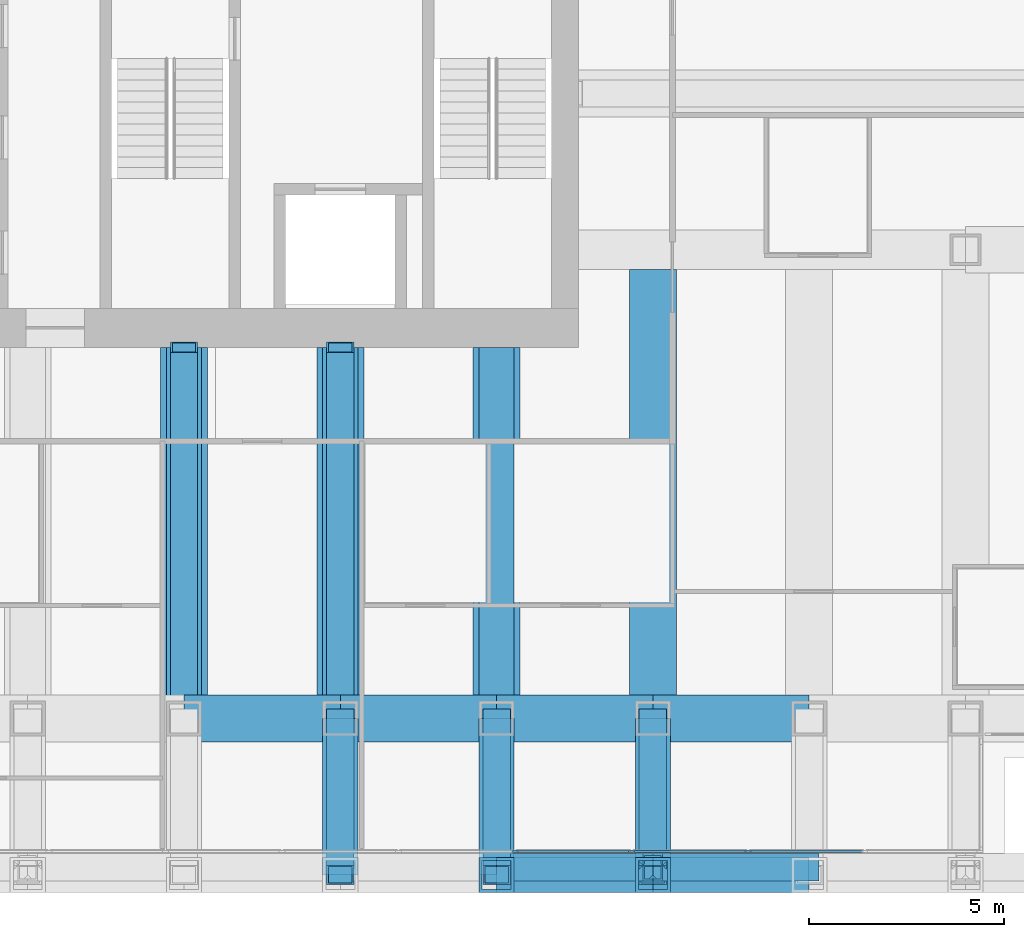
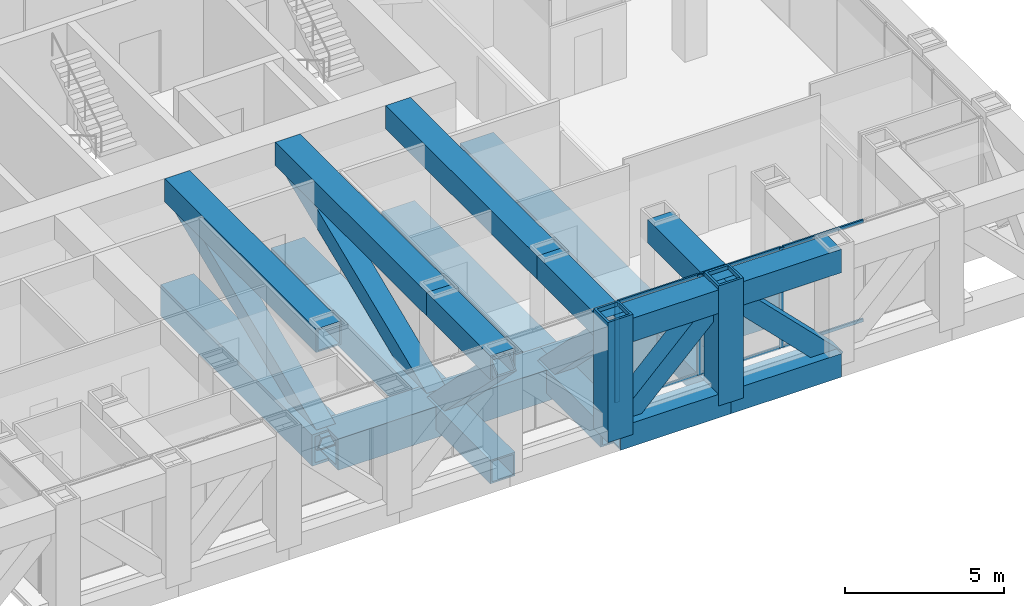
# One storey, part 3 of 17: 21 beams, 18 members, 1 element without a shape of its own.
"""IFC4 building model written with IfcOpenShell, lengths in metres."""

from ifc_helpers import new_model, si_unit, direction, frame, origin, origin_2d, place, context, subcontext, project, spatial, rectangle, hollow_rectangle, extrude, material, material_profile, profile_set, type_object, element, aggregate, save


model = new_model("IFC4")

# Units and contexts
model_context = context("Model", 3, precision=1e-05, world=origin(), true_north=direction((0.0, 1.0)))
body_context = subcontext(model_context, "Body", "Model", "MODEL_VIEW")
ifc_project = project(units=[si_unit("LENGTHUNIT", "METRE"), si_unit("AREAUNIT", "SQUARE_METRE"), si_unit("VOLUMEUNIT", "CUBIC_METRE"), si_unit("PLANEANGLEUNIT", "RADIAN"), si_unit("MASSUNIT", "GRAM", prefix="KILO")], contexts=[model_context])

# Site, building, storey
site_placement = place(None, origin())
site = spatial("IfcSite", under=ifc_project, at=site_placement, CompositionType="ELEMENT")
building_placement = place(site_placement, origin())
building = spatial("IfcBuilding", under=site, at=building_placement, Name="Rimbunsela Tower", CompositionType="ELEMENT")
storey_placement = place(building_placement, frame((0.0, 0.0, 238.199951171875)))
storey = spatial("IfcBuildingStorey", under=building, at=storey_placement, Name="L57", CompositionType="ELEMENT", Elevation=238.199951171875)

# Beams
ifc_material_1 = material(Name="Steel BJ 55 (fy 410 MPa)", Category="steel")
ifc_material_profile_1 = material_profile(ifc_material_1, hollow_rectangle(XDim=1.199951171875, YDim=1.199951171875, WallThickness=0.10009765625, at=origin_2d()), Name="BOX 1200x1200x100")
ifc_profile_set_1 = profile_set([ifc_material_profile_1], Name="Steel BJ 55 (fy 410 MPa)")
beam_type_1 = type_object("IfcBeamType", Name="Beam BOX 1200x1200x100", PredefinedType="BEAM", material=ifc_profile_set_1)
for number, where, z_axis, x_axis, name in (
    (1, (26.0, 8.0, -0.75), (0.0, 1.0, 0.0), (-1.0, 0.0, 0.0), "Beam B5 L57"),
    (2, (30.0, 8.0, -0.75), (0.0, 1.0, 0.0), (-1.0, 0.0, 0.0), "Beam B5 L57"),
    (3, (34.0, 8.0, -0.75), (0.0, 1.0, 0.0), (-1.0, 0.0, 0.0), "Beam B5 L57"),
):
    element("IfcBeam", number, at=place(storey_placement, frame(where, z_axis=z_axis, x_axis=x_axis)), inside=storey, type_object=beam_type_1, Name=name, PredefinedType="BEAM", context=body_context, shape_type="SweptSolid", body=[
        extrude(hollow_rectangle(XDim=1.199951171875, YDim=1.199951171875, WallThickness=0.10009765625, at=origin_2d()), origin(), (0.0, 0.0, 1.0), 9.5),
    ])
beam_1_placement = place(storey_placement, frame((38.0, 8.0, -0.75), z_axis=(0.0, 1.0, 0.0), x_axis=(-1.0, 0.0, 0.0)))
element("IfcBeam", 4, at=beam_1_placement, inside=storey, type_object=beam_type_1, Name="Beam B5 L57", PredefinedType="BEAM", context=body_context, shape_type="SweptSolid", body=[
    extrude(hollow_rectangle(XDim=1.199951171875, YDim=1.199951171875, WallThickness=0.10009765625, at=origin_2d()), origin(), (0.0, 0.0, 1.0), 11.5),
])
ifc_material_2 = material(Name="Steel BJ 55 (fy 410 MPa)", Category="steel")
ifc_material_profile_2 = material_profile(ifc_material_2, hollow_rectangle(XDim=1.199951171875, YDim=1.199951171875, WallThickness=0.125, at=origin_2d()), Name="BOX 1200x1200x125")
ifc_profile_set_2 = profile_set([ifc_material_profile_2], Name="Steel BJ 55 (fy 410 MPa)")
beam_type_2 = type_object("IfcBeamType", Name="Beam BOX 1200x1200x125", PredefinedType="BEAM", material=ifc_profile_set_2)
for number, where, z_axis, x_axis, name in (
    (5, (26.0, 8.0, -0.75), (1.0, 0.0, 0.0), (0.0, 1.0, 0.0), "Beam B4 L57"),
    (6, (30.0, 8.0, -0.75), (1.0, 0.0, 0.0), (0.0, 1.0, 0.0), "Beam B4 L57"),
    (7, (34.0, 8.0, -0.75), (1.0, 0.0, 0.0), (0.0, 1.0, 0.0), "Beam B4 L57"),
    (8, (38.0, 8.0, -0.75), (1.0, 0.0, 0.0), (0.0, 1.0, 0.0), "Beam B4 L57"),
):
    element("IfcBeam", number, at=place(storey_placement, frame(where, z_axis=z_axis, x_axis=x_axis)), inside=storey, type_object=beam_type_2, Name=name, PredefinedType="BEAM", context=body_context, shape_type="SweptSolid", body=[
        extrude(hollow_rectangle(XDim=1.199951171875, YDim=1.199951171875, WallThickness=0.125, at=origin_2d()), origin(), (0.0, 0.0, 1.0), 4.0),
    ])

# Curtain wall, members
ifc_material_3 = material(Name="Aluminium curtain wall", Category="aluminium")
curtain_wall_type = type_object("IfcCurtainWallType", Name="Exoskeleton storey infill", PredefinedType="USERDEFINED", material=ifc_material_3)
curtain_wall_placement = place(storey_placement, origin())
curtain_wall = element("IfcCurtainWall", 9, at=curtain_wall_placement, inside=storey, type_object=curtain_wall_type, Name="Exoskeleton storey infill L57", ObjectType="EXOSKELETON STOREY INFILL", PredefinedType="USERDEFINED")
ifc_material_4 = material(Name="Aluminium mullion", Category="aluminium")
ifc_material_profile_3 = material_profile(ifc_material_4, rectangle(XDim=0.06005859375, YDim=0.159912109375, at=origin_2d()), Name="Mullion 60x160")
ifc_profile_set_3 = profile_set([ifc_material_profile_3], Name="Aluminium mullion")
member_type_1 = type_object("IfcMemberType", Name="Curtain wall mullion 60x160", PredefinedType="MULLION", material=ifc_profile_set_3)
member_1_placement = place(storey_placement, frame((34.47265625, 4.60009765625, 0.0), z_axis=(0.0, 0.0, 1.0), x_axis=(0.0, 1.0, 0.0)))
member_1 = element("IfcMember", 10, at=member_1_placement, type_object=member_type_1, Name="CW2 mullion 8", PredefinedType="MULLION", context=body_context, shape_type="SweptSolid", body=[
    extrude(rectangle(XDim=0.06005859375, YDim=0.159912109375, at=origin_2d()), origin(), (0.0, 0.0, 1.0), 3.85009765625),
])
member_2_placement = place(storey_placement, frame((37.45458984375, 4.60009765625, 0.0), z_axis=(0.0, 0.0, 1.0), x_axis=(0.0, 1.0, 0.0)))
member_2 = element("IfcMember", 11, at=member_2_placement, type_object=member_type_1, Name="CW2 mullion 9", PredefinedType="MULLION", context=body_context, shape_type="SweptSolid", body=[
    extrude(rectangle(XDim=0.06005859375, YDim=0.159912109375, at=origin_2d()), origin(), (0.0, 0.0, 1.0), 3.85009765625),
])
member_3_placement = place(storey_placement, frame((40.436279296875, 4.60009765625, 0.0), z_axis=(0.0, 0.0, 1.0), x_axis=(0.0, 1.0, 0.0)))
member_3 = element("IfcMember", 12, at=member_3_placement, type_object=member_type_1, Name="CW2 mullion 10", PredefinedType="MULLION", context=body_context, shape_type="SweptSolid", body=[
    extrude(rectangle(XDim=0.06005859375, YDim=0.159912109375, at=origin_2d()), origin(), (0.0, 0.0, 1.0), 3.85009765625),
])
ifc_material_5 = material(Name="Aluminium transom", Category="aluminium")
ifc_material_profile_4 = material_profile(ifc_material_5, rectangle(XDim=0.06005859375, YDim=0.1201171875, at=origin_2d()), Name="Transom 60x120")
ifc_profile_set_4 = profile_set([ifc_material_profile_4], Name="Aluminium transom")
member_type_2 = type_object("IfcMemberType", Name="Curtain wall transom 60x120", PredefinedType="USERDEFINED", material=ifc_profile_set_4)
member_4_placement = place(storey_placement, frame((34.502685546875, 4.60009765625, 0.030029296875), z_axis=(1.0, 0.0, 0.0), x_axis=(0.0, 1.0, 0.0)))
member_4 = element("IfcMember", 13, at=member_4_placement, type_object=member_type_2, Name="CW2 transom 8.1", ObjectType="TRANSOM", PredefinedType="USERDEFINED", context=body_context, shape_type="SweptSolid", body=[
    extrude(rectangle(XDim=0.06005859375, YDim=0.1201171875, at=origin_2d()), origin(), (0.0, 0.0, 1.0), 2.921875),
])
member_5_placement = place(storey_placement, frame((34.502685546875, 4.60009765625, 3.820068359375), z_axis=(1.0, 0.0, 0.0), x_axis=(0.0, 1.0, 0.0)))
member_5 = element("IfcMember", 14, at=member_5_placement, type_object=member_type_2, Name="CW2 transom 8.2", ObjectType="TRANSOM", PredefinedType="USERDEFINED", context=body_context, shape_type="SweptSolid", body=[
    extrude(rectangle(XDim=0.06005859375, YDim=0.1201171875, at=origin_2d()), origin(), (0.0, 0.0, 1.0), 2.921875),
])
member_6_placement = place(storey_placement, frame((37.484619140625, 4.60009765625, 0.030029296875), z_axis=(1.0, 0.0, 0.0), x_axis=(0.0, 1.0, 0.0)))
member_6 = element("IfcMember", 15, at=member_6_placement, type_object=member_type_2, Name="CW2 transom 9.1", ObjectType="TRANSOM", PredefinedType="USERDEFINED", context=body_context, shape_type="SweptSolid", body=[
    extrude(rectangle(XDim=0.06005859375, YDim=0.1201171875, at=origin_2d()), origin(), (0.0, 0.0, 1.0), 2.921630859375),
])
member_7_placement = place(storey_placement, frame((37.484619140625, 4.60009765625, 3.820068359375), z_axis=(1.0, 0.0, 0.0), x_axis=(0.0, 1.0, 0.0)))
member_7 = element("IfcMember", 16, at=member_7_placement, type_object=member_type_2, Name="CW2 transom 9.2", ObjectType="TRANSOM", PredefinedType="USERDEFINED", context=body_context, shape_type="SweptSolid", body=[
    extrude(rectangle(XDim=0.06005859375, YDim=0.1201171875, at=origin_2d()), origin(), (0.0, 0.0, 1.0), 2.921630859375),
])
member_8_placement = place(storey_placement, frame((40.46630859375, 4.60009765625, 0.030029296875), z_axis=(1.0, 0.0, 0.0), x_axis=(0.0, 1.0, 0.0)))
member_8 = element("IfcMember", 17, at=member_8_placement, type_object=member_type_2, Name="CW2 transom 10.1", ObjectType="TRANSOM", PredefinedType="USERDEFINED", context=body_context, shape_type="SweptSolid", body=[
    extrude(rectangle(XDim=0.06005859375, YDim=0.1201171875, at=origin_2d()), origin(), (0.0, 0.0, 1.0), 2.921875),
])
member_9_placement = place(storey_placement, frame((40.46630859375, 4.60009765625, 3.820068359375), z_axis=(1.0, 0.0, 0.0), x_axis=(0.0, 1.0, 0.0)))
member_9 = element("IfcMember", 18, at=member_9_placement, type_object=member_type_2, Name="CW2 transom 10.2", ObjectType="TRANSOM", PredefinedType="USERDEFINED", context=body_context, shape_type="SweptSolid", body=[
    extrude(rectangle(XDim=0.06005859375, YDim=0.1201171875, at=origin_2d()), origin(), (0.0, 0.0, 1.0), 2.921875),
])
aggregate(curtain_wall, [member_1, member_2, member_3, member_4, member_5, member_6, member_7, member_8, member_9])

# Members
ifc_material_6 = material(Name="Steel BJ 55 (fy 410 MPa)", Category="steel")
ifc_material_profile_5 = material_profile(ifc_material_6, hollow_rectangle(XDim=0.699951171875, YDim=0.699951171875, WallThickness=0.050048828125, at=origin_2d()), Name="BOX 700x700x50")
ifc_profile_set_5 = profile_set([ifc_material_profile_5], Name="Steel BJ 55 (fy 410 MPa)")
member_type_3 = type_object("IfcMemberType", Name="Outrigger brace BOX 700x700x50", PredefinedType="BRACE", material=ifc_profile_set_5)
for number, where, z_axis, x_axis, name in (
    (19, (26.0, 8.0, -0.599853515625), (0.0, 0.921635375138, 0.388057000058), (-1.0, 0.0, 0.0), "Outrigger brace OB2 S L57"),
    (20, (30.0, 8.0, -0.599853515625), (0.0, 0.921635375138, 0.388057000058), (-1.0, 0.0, 0.0), "Outrigger brace OB2 S L57"),
):
    element("IfcMember", number, at=place(storey_placement, frame(where, z_axis=z_axis, x_axis=x_axis)), inside=storey, type_object=member_type_3, Name=name, PredefinedType="BRACE", context=body_context, shape_type="SweptSolid", body=[
        extrude(hollow_rectangle(XDim=0.699951171875, YDim=0.699951171875, WallThickness=0.050048828125, at=origin_2d()), origin(), (0.0, 0.0, 1.0), 10.307861328125),
    ])

# Beams
ifc_material_7 = material(Name="Steel BJ 55 (fy 410 MPa)", Category="steel")
ifc_material_profile_6 = material_profile(ifc_material_7, hollow_rectangle(XDim=0.89990234375, YDim=0.89990234375, WallThickness=0.06005859375, at=origin_2d()), Name="BOX 900x900x60")
ifc_profile_set_6 = profile_set([ifc_material_profile_6], Name="Steel BJ 55 (fy 410 MPa)")
beam_type_3 = type_object("IfcBeamType", Name="Truss chord BOX 900x900x60", PredefinedType="USERDEFINED", material=ifc_profile_set_6)
for number, where, z_axis, x_axis, name in (
    (21, (34.0, 4.0, 3.400146484375), (1.0, 0.0, 0.0), (0.0, 1.0, 0.0), "Truss top chord TC4 S face L57"),
    (22, (38.0, 4.0, 3.400146484375), (1.0, 0.0, 0.0), (0.0, 1.0, 0.0), "Truss top chord TC4 S face L57"),
):
    element("IfcBeam", number, at=place(storey_placement, frame(where, z_axis=z_axis, x_axis=x_axis)), inside=storey, type_object=beam_type_3, Name=name, ObjectType="TRUSS CHORD", PredefinedType="USERDEFINED", context=body_context, shape_type="SweptSolid", body=[
        extrude(hollow_rectangle(XDim=0.89990234375, YDim=0.89990234375, WallThickness=0.06005859375, at=origin_2d()), origin(), (0.0, 0.0, 1.0), 4.0),
    ])
beam_2_placement = place(storey_placement, frame((26.0, 17.5, 3.400146484375), z_axis=(0.0, -1.0, 0.0), x_axis=(1.0, 0.0, 0.0)))
element("IfcBeam", 23, at=beam_2_placement, inside=storey, type_object=beam_type_3, Name="Cantilever truss top chord TC4 9/C L57", ObjectType="TRUSS CHORD", PredefinedType="USERDEFINED", context=body_context, shape_type="SweptSolid", body=[
    extrude(hollow_rectangle(XDim=0.89990234375, YDim=0.89990234375, WallThickness=0.06005859375, at=origin_2d()), origin(), (0.0, 0.0, 1.0), 9.5),
])
beam_3_placement = place(storey_placement, frame((30.0, 8.0, -0.599853515625), z_axis=(0.0, -1.0, 0.0), x_axis=(1.0, 0.0, 0.0)))
element("IfcBeam", 24, at=beam_3_placement, inside=storey, type_object=beam_type_3, Name="Cantilever truss bottom chord TC4 10/C L57", ObjectType="TRUSS CHORD", PredefinedType="USERDEFINED", context=body_context, shape_type="SweptSolid", body=[
    extrude(hollow_rectangle(XDim=0.89990234375, YDim=0.89990234375, WallThickness=0.06005859375, at=origin_2d()), origin(), (0.0, 0.0, 1.0), 4.0),
])
beam_4_placement = place(storey_placement, frame((30.0, 17.5, 3.400146484375), z_axis=(0.0, -1.0, 0.0), x_axis=(1.0, 0.0, 0.0)))
element("IfcBeam", 25, at=beam_4_placement, inside=storey, type_object=beam_type_3, Name="Cantilever truss top chord TC4 10/C L57", ObjectType="TRUSS CHORD", PredefinedType="USERDEFINED", context=body_context, shape_type="SweptSolid", body=[
    extrude(hollow_rectangle(XDim=0.89990234375, YDim=0.89990234375, WallThickness=0.06005859375, at=origin_2d()), origin(), (0.0, 0.0, 1.0), 9.5),
])
for number, where, z_axis, x_axis, name in (
    (26, (30.0, 8.0, 3.400146484375), (0.0, -1.0, 0.0), (1.0, 0.0, 0.0), "Cantilever truss top chord TC4 10/C L57"),
    (27, (34.0, 8.0, -0.599853515625), (0.0, -1.0, 0.0), (1.0, 0.0, 0.0), "Cantilever truss bottom chord TC4 11/C L57"),
):
    element("IfcBeam", number, at=place(storey_placement, frame(where, z_axis=z_axis, x_axis=x_axis)), inside=storey, type_object=beam_type_3, Name=name, ObjectType="TRUSS CHORD", PredefinedType="USERDEFINED", context=body_context, shape_type="SweptSolid", body=[
        extrude(hollow_rectangle(XDim=0.89990234375, YDim=0.89990234375, WallThickness=0.06005859375, at=origin_2d()), origin(), (0.0, 0.0, 1.0), 4.0),
    ])
beam_5_placement = place(storey_placement, frame((34.0, 17.5, 3.400146484375), z_axis=(0.0, -1.0, 0.0), x_axis=(1.0, 0.0, 0.0)))
element("IfcBeam", 28, at=beam_5_placement, inside=storey, type_object=beam_type_3, Name="Cantilever truss top chord TC4 11/C L57", ObjectType="TRUSS CHORD", PredefinedType="USERDEFINED", context=body_context, shape_type="SweptSolid", body=[
    extrude(hollow_rectangle(XDim=0.89990234375, YDim=0.89990234375, WallThickness=0.06005859375, at=origin_2d()), origin(), (0.0, 0.0, 1.0), 9.5),
])
for number, where, z_axis, x_axis, name in (
    (29, (34.0, 8.0, 3.400146484375), (0.0, -1.0, 0.0), (1.0, 0.0, 0.0), "Cantilever truss top chord TC4 11/C L57"),
    (30, (38.0, 8.0, -0.599853515625), (0.0, -1.0, 0.0), (1.0, 0.0, 0.0), "Cantilever truss bottom chord TC4 12/C L57"),
    (31, (38.0, 8.0, 3.400146484375), (0.0, -1.0, 0.0), (1.0, 0.0, 0.0), "Cantilever truss top chord TC4 12/C L57"),
    (32, (34.0, 4.0, -0.599853515625), (1.0, 0.0, 0.0), (0.0, 1.0, 0.0), "Truss bottom chord TC4 S face L57"),
    (33, (38.0, 4.0, -0.599853515625), (1.0, 0.0, 0.0), (0.0, 1.0, 0.0), "Truss bottom chord TC4 S face L57"),
):
    element("IfcBeam", number, at=place(storey_placement, frame(where, z_axis=z_axis, x_axis=x_axis)), inside=storey, type_object=beam_type_3, Name=name, ObjectType="TRUSS CHORD", PredefinedType="USERDEFINED", context=body_context, shape_type="SweptSolid", body=[
        extrude(hollow_rectangle(XDim=0.89990234375, YDim=0.89990234375, WallThickness=0.06005859375, at=origin_2d()), origin(), (0.0, 0.0, 1.0), 4.0),
    ])

# Members
ifc_material_8 = material(Name="Steel BJ 55 (fy 410 MPa)", Category="steel")
ifc_material_profile_7 = material_profile(ifc_material_8, hollow_rectangle(XDim=0.699951171875, YDim=0.699951171875, WallThickness=0.050048828125, at=origin_2d()), Name="BOX 700x700x50")
ifc_profile_set_7 = profile_set([ifc_material_profile_7], Name="Steel BJ 55 (fy 410 MPa)")
member_type_4 = type_object("IfcMemberType", Name="Truss diagonal BOX 700x700x50", PredefinedType="BRACE", material=ifc_profile_set_7)
for number, where, z_axis, x_axis, name in (
    (34, (34.0, 4.199951171875, -0.599853515625), (0.707106781187, 0.0, 0.707106781187), (0.0, 1.0, 0.0), "Truss diagonal TD4 S face L57"),
    (35, (38.0, 4.199951171875, 3.400146484375), (0.707106781187, 0.0, -0.707106781187), (0.0, 1.0, 0.0), "Truss diagonal TD4 S face L57"),
    (36, (30.0, 8.0, -0.599853515625), (0.0, -0.707106781187, 0.707106781187), (1.0, 0.0, 0.0), "Cantilever truss diagonal TD4 10/C L57"),
    (37, (34.0, 8.0, -0.599853515625), (0.0, -0.707106781187, 0.707106781187), (1.0, 0.0, 0.0), "Cantilever truss diagonal TD4 11/C L57"),
    (38, (38.0, 8.0, -0.599853515625), (0.0, -0.707106781187, 0.707106781187), (1.0, 0.0, 0.0), "Cantilever truss diagonal TD4 12/C L57"),
):
    element("IfcMember", number, at=place(storey_placement, frame(where, z_axis=z_axis, x_axis=x_axis)), inside=storey, type_object=member_type_4, Name=name, PredefinedType="BRACE", context=body_context, shape_type="SweptSolid", body=[
        extrude(hollow_rectangle(XDim=0.699951171875, YDim=0.699951171875, WallThickness=0.050048828125, at=origin_2d()), origin(), (0.0, 0.0, 1.0), 5.65673828125),
    ])
ifc_material_9 = material(Name="Steel BJ 55 (fy 410 MPa)", Category="steel")
ifc_material_profile_8 = material_profile(ifc_material_9, hollow_rectangle(XDim=0.89990234375, YDim=0.89990234375, WallThickness=0.080078125, at=origin_2d()), Name="BOX 900x900x80")
ifc_profile_set_8 = profile_set([ifc_material_profile_8], Name="Steel BJ 55 (fy 410 MPa)")
member_type_5 = type_object("IfcMemberType", Name="Truss post BOX 900x900x80", PredefinedType="POST", material=ifc_profile_set_8)
for number, where, z_axis, x_axis, name in (
    (39, (34.0, 4.0, -0.599853515625), (0.0, 0.0, 1.0), (1.0, 0.0, 0.0), "Truss post TP3 11/C L57"),
    (40, (38.0, 4.0, -0.599853515625), (0.0, 0.0, 1.0), (1.0, 0.0, 0.0), "Truss post TP3 12/C L57"),
):
    element("IfcMember", number, at=place(storey_placement, frame(where, z_axis=z_axis, x_axis=x_axis)), inside=storey, type_object=member_type_5, Name=name, PredefinedType="POST", context=body_context, shape_type="SweptSolid", body=[
        extrude(hollow_rectangle(XDim=0.89990234375, YDim=0.89990234375, WallThickness=0.080078125, at=origin_2d()), origin(), (0.0, 0.0, 1.0), 4.599853515625),
    ])

save(model, "model.ifc")
